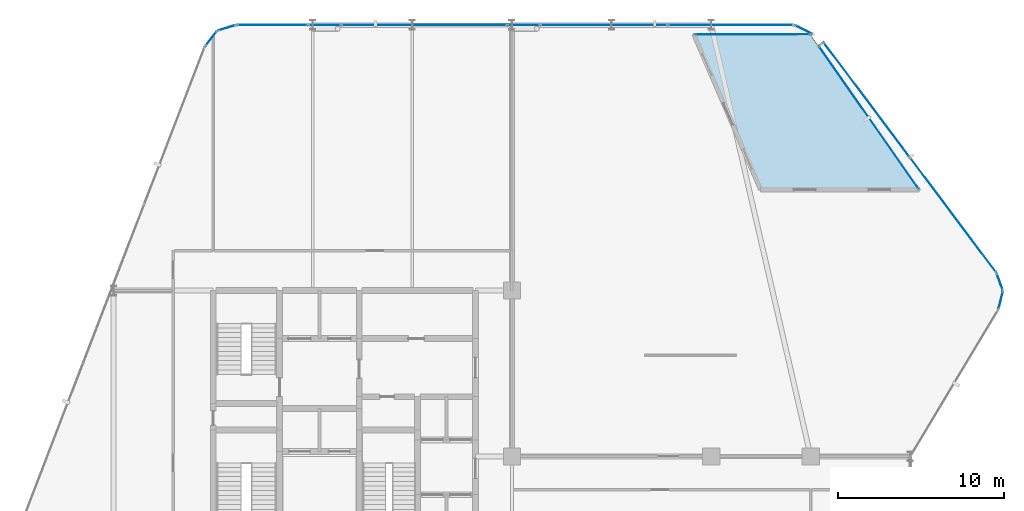
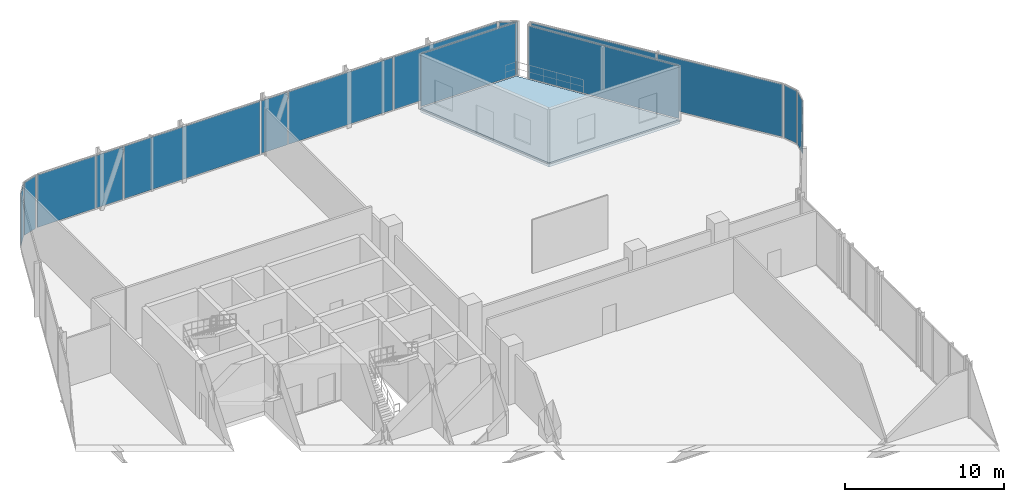
# One storey, part 25 of 31: 15 plates, 1 slab, 13 elements without a shape of their own.
"""IFC4 building model written with IfcOpenShell, lengths in metres."""

from ifc_helpers import new_model, si_unit, direction, frame, origin, origin_2d, place, context, subcontext, project, spatial, polyline, rectangle, outline, extrude, material, layer, layer_set, type_object, element, aggregate, save


model = new_model("IFC4")

# Units and contexts
model_context = context("Model", 3, precision=1e-05, world=origin(), true_north=direction((0.0, 1.0)))
body_context = subcontext(model_context, "Body", "Model", "MODEL_VIEW")
ifc_project = project(units=[si_unit("LENGTHUNIT", "METRE"), si_unit("AREAUNIT", "SQUARE_METRE"), si_unit("VOLUMEUNIT", "CUBIC_METRE"), si_unit("PLANEANGLEUNIT", "RADIAN"), si_unit("MASSUNIT", "GRAM", prefix="KILO")], contexts=[model_context])

# Site, building, storey
site_placement = place(None, origin())
site = spatial("IfcSite", under=ifc_project, at=site_placement, CompositionType="ELEMENT")
building_placement = place(site_placement, origin())
building = spatial("IfcBuilding", under=site, at=building_placement, Name="Keshet Zoharim Tower", CompositionType="ELEMENT")
storey_placement = place(building_placement, frame((0.0, 0.0, 125.300048828125)))
storey = spatial("IfcBuildingStorey", under=building, at=storey_placement, Name="L30", CompositionType="ELEMENT", Elevation=125.300048828125)

# Curtain wall, plates
ifc_material_1 = material(Name="Aluminium 6063-T6", Category="aluminium")
ifc_layer_1 = layer(ifc_material_1, 0.14990234375)
ifc_layer_set_1 = layer_set([ifc_layer_1], Name="Aluminium 6063-T6")
curtain_wall_type = type_object("IfcCurtainWallType", Name="CW-SYS-04", PredefinedType="NOTDEFINED", material=ifc_layer_set_1)
curtain_wall_1_placement = place(storey_placement, origin())
curtain_wall_1 = element("IfcCurtainWall", 1, at=curtain_wall_1_placement, inside=storey, type_object=curtain_wall_type, Name="L30 Unitised Curtain Wall 02", PredefinedType="NOTDEFINED")
ifc_material_2 = material(Name="Insulated Low-E Clear Glass", Category="glass")
ifc_layer_2 = layer(ifc_material_2, 0.035888671875)
ifc_layer_set_2 = layer_set([ifc_layer_2], Name="Insulated Low-E Clear Glass")
plate_type_1 = type_object("IfcPlateType", Name="CWP-01", PredefinedType="CURTAIN_PANEL", material=ifc_layer_set_2)
plate_1_placement = place(storey_placement, frame((54.38330078125, 49.388427734375, 0.070068359375), z_axis=(0.0, 0.0, 1.0), x_axis=(0.600018414142, -0.799986189062, 0.0)))
plate_1 = element("IfcPlate", 2, at=plate_1_placement, type_object=plate_type_1, Name="CW-04 panel 1.1", PredefinedType="CURTAIN_PANEL", context=body_context, shape_type="SweptSolid", body=[
    extrude(rectangle(XDim=8.583984375, YDim=0.035888671875, at=origin_2d()), origin(), (0.0, 0.0, 1.0), 4.044921875),
])
plate_2_placement = place(storey_placement, frame((59.57568359375, 42.465576171875, 0.070068359375), z_axis=(0.0, 0.0, 1.0), x_axis=(0.600018414142, -0.799986189062, 0.0)))
plate_2 = element("IfcPlate", 3, at=plate_2_placement, type_object=plate_type_1, Name="CW-04 panel 2.1", PredefinedType="CURTAIN_PANEL", context=body_context, shape_type="SweptSolid", body=[
    extrude(rectangle(XDim=8.583984375, YDim=0.035888671875, at=origin_2d()), origin(), (0.0, 0.0, 1.0), 4.044921875),
])
aggregate(curtain_wall_1, [plate_1, plate_2])

# Curtain wall, plate
curtain_wall_2_placement = place(storey_placement, origin())
curtain_wall_2 = element("IfcCurtainWall", 4, at=curtain_wall_2_placement, inside=storey, type_object=curtain_wall_type, Name="L30 Unitised Curtain Wall 03", PredefinedType="NOTDEFINED")
plate_3_placement = place(storey_placement, frame((62.3916015625, 38.427490234375, 0.070068359375), z_axis=(0.0, 0.0, 1.0), x_axis=(0.340297354046, -0.940317877544, 0.0)))
plate_3 = element("IfcPlate", 5, at=plate_3_placement, type_object=plate_type_1, Name="CW-04 panel 1.1", PredefinedType="CURTAIN_PANEL", context=body_context, shape_type="SweptSolid", body=[
    extrude(rectangle(XDim=1.026611328125, YDim=0.035888671875, at=origin_2d()), origin(), (0.0, 0.0, 1.0), 4.044921875),
])
aggregate(curtain_wall_2, [plate_3])

curtain_wall_3_placement = place(storey_placement, origin())
curtain_wall_3 = element("IfcCurtainWall", 6, at=curtain_wall_3_placement, inside=storey, type_object=curtain_wall_type, Name="L30 Unitised Curtain Wall 04", PredefinedType="NOTDEFINED")
plate_4_placement = place(storey_placement, frame((62.448974609375, 37.31298828125, 0.070068359375), z_axis=(0.0, 0.0, 1.0), x_axis=(-0.241728770141, -0.970343857447, 0.0)))
plate_4 = element("IfcPlate", 7, at=plate_4_placement, type_object=plate_type_1, Name="CW-04 panel 1.1", PredefinedType="CURTAIN_PANEL", context=body_context, shape_type="SweptSolid", body=[
    extrude(rectangle(XDim=1.026611328125, YDim=0.035888671875, at=origin_2d()), origin(), (0.0, 0.0, 1.0), 4.044921875),
])
aggregate(curtain_wall_3, [plate_4])

curtain_wall_4_placement = place(storey_placement, origin())
curtain_wall_4 = element("IfcCurtainWall", 8, at=curtain_wall_4_placement, inside=storey, type_object=curtain_wall_type, Name="L30 Unitised Curtain Wall 17", PredefinedType="NOTDEFINED")
plate_5_placement = place(storey_placement, frame((14.8740234375, 53.08349609375, 0.070068359375), z_axis=(0.0, 0.0, 1.0), x_axis=(0.619124525989, 0.785292825205, 0.0)))
plate_5 = element("IfcPlate", 9, at=plate_5_placement, type_object=plate_type_1, Name="CW-04 panel 1.1", PredefinedType="CURTAIN_PANEL", context=body_context, shape_type="SweptSolid", body=[
    extrude(rectangle(XDim=1.045654296875, YDim=0.035888671875, at=origin_2d()), origin(), (0.0, 0.0, 1.0), 4.044921875),
])
aggregate(curtain_wall_4, [plate_5])

curtain_wall_5_placement = place(storey_placement, origin())
curtain_wall_5 = element("IfcCurtainWall", 10, at=curtain_wall_5_placement, inside=storey, type_object=curtain_wall_type, Name="L30 Unitised Curtain Wall 18", PredefinedType="NOTDEFINED")
plate_6_placement = place(storey_placement, frame((15.8076171875, 53.724609375, 0.070068359375), z_axis=(0.0, 0.0, 1.0), x_axis=(0.955212151288, 0.295921857984, 0.0)))
plate_6 = element("IfcPlate", 11, at=plate_6_placement, type_object=plate_type_1, Name="CW-04 panel 1.1", PredefinedType="CURTAIN_PANEL", context=body_context, shape_type="SweptSolid", body=[
    extrude(rectangle(XDim=1.046142578125, YDim=0.035888671875, at=origin_2d()), origin(), (0.0, 0.0, 1.0), 4.044921875),
])
aggregate(curtain_wall_5, [plate_6])

curtain_wall_6_placement = place(storey_placement, origin())
curtain_wall_6 = element("IfcCurtainWall", 12, at=curtain_wall_6_placement, inside=storey, type_object=curtain_wall_type, Name="L30 Unitised Curtain Wall 19", PredefinedType="NOTDEFINED")
plate_7_placement = place(storey_placement, frame((18.560791015625, 53.89990234375, 0.070068359375), z_axis=(0.0, 0.0, 1.0), x_axis=(1.0, 0.0, 0.0)))
plate_7 = element("IfcPlate", 13, at=plate_7_placement, type_object=plate_type_1, Name="CW-04 panel 1.1", PredefinedType="CURTAIN_PANEL", context=body_context, shape_type="SweptSolid", body=[
    extrude(rectangle(XDim=4.2333984375, YDim=0.035888671875, at=origin_2d()), origin(), (0.0, 0.0, 1.0), 4.044921875),
])
aggregate(curtain_wall_6, [plate_7])

curtain_wall_7_placement = place(storey_placement, origin())
curtain_wall_7 = element("IfcCurtainWall", 14, at=curtain_wall_7_placement, inside=storey, type_object=curtain_wall_type, Name="L30 Unitised Curtain Wall 19 Part 3", PredefinedType="NOTDEFINED")
plate_8_placement = place(storey_placement, frame((27.715087890625, 53.89990234375, 0.070068359375), z_axis=(0.0, 0.0, 1.0), x_axis=(1.0, 0.0, 0.0)))
plate_8 = element("IfcPlate", 15, at=plate_8_placement, type_object=plate_type_1, Name="CW-04 panel 1.1", PredefinedType="CURTAIN_PANEL", context=body_context, shape_type="SweptSolid", body=[
    extrude(rectangle(XDim=9.925048828125, YDim=0.035888671875, at=origin_2d()), origin(), (0.0, 0.0, 1.0), 4.044921875),
])
aggregate(curtain_wall_7, [plate_8])

# Curtain wall, plates
curtain_wall_8_placement = place(storey_placement, origin())
curtain_wall_8 = element("IfcCurtainWall", 16, at=curtain_wall_8_placement, inside=storey, type_object=curtain_wall_type, Name="L30 Unitised Curtain Wall 19 Part 5", PredefinedType="NOTDEFINED")
plate_9_placement = place(storey_placement, frame((38.546875, 53.89990234375, 0.070068359375), z_axis=(0.0, 0.0, 1.0), x_axis=(1.0, 0.0, 0.0)))
plate_9 = element("IfcPlate", 17, at=plate_9_placement, type_object=plate_type_1, Name="CW-04 panel 1.1", PredefinedType="CURTAIN_PANEL", context=body_context, shape_type="SweptSolid", body=[
    extrude(rectangle(XDim=7.5888671875, YDim=0.035888671875, at=origin_2d()), origin(), (0.0, 0.0, 1.0), 4.044921875),
])
plate_10_placement = place(storey_placement, frame((46.170654296875, 53.89990234375, 0.070068359375), z_axis=(0.0, 0.0, 1.0), x_axis=(1.0, 0.0, 0.0)))
plate_10 = element("IfcPlate", 18, at=plate_10_placement, type_object=plate_type_1, Name="CW-04 panel 2.1", PredefinedType="CURTAIN_PANEL", context=body_context, shape_type="SweptSolid", body=[
    extrude(rectangle(XDim=7.518798828125, YDim=0.035888671875, at=origin_2d()), origin(), (0.0, 0.0, 1.0), 4.044921875),
])
aggregate(curtain_wall_8, [plate_9, plate_10])

# Curtain wall, plate
curtain_wall_9_placement = place(storey_placement, origin())
curtain_wall_9 = element("IfcCurtainWall", 19, at=curtain_wall_9_placement, inside=storey, type_object=curtain_wall_type, Name="L30 Unitised Curtain Wall 20", PredefinedType="NOTDEFINED")
plate_11_placement = place(storey_placement, frame((50.580078125, 53.610107421875, 0.070068359375), z_axis=(0.0, 0.0, 1.0), x_axis=(0.894427191001, -0.447213595499, 0.0)))
plate_11 = element("IfcPlate", 20, at=plate_11_placement, type_object=plate_type_1, Name="CW-04 panel 1.1", PredefinedType="CURTAIN_PANEL", context=body_context, shape_type="SweptSolid", body=[
    extrude(rectangle(XDim=1.156982421875, YDim=0.035888671875, at=origin_2d()), origin(), (0.0, 0.0, 1.0), 4.044921875),
])
aggregate(curtain_wall_9, [plate_11])

curtain_wall_10_placement = place(storey_placement, origin())
curtain_wall_10 = element("IfcCurtainWall", 21, at=curtain_wall_10_placement, inside=storey, type_object=curtain_wall_type, Name="L30 Unitised Curtain Wall 21", PredefinedType="NOTDEFINED")
plate_12_placement = place(storey_placement, frame((47.489990234375, 53.320068359375, 0.070068359375), z_axis=(0.0, 0.0, 1.0), x_axis=(-1.0, 0.0, 0.0)))
plate_12 = element("IfcPlate", 22, at=plate_12_placement, type_object=plate_type_1, Name="CW-04 panel 1.1", PredefinedType="CURTAIN_PANEL", context=body_context, shape_type="SweptSolid", body=[
    extrude(rectangle(XDim=6.89990234375, YDim=0.035888671875, at=origin_2d()), origin(), (0.0, 0.0, 1.0), 4.044921875),
])
aggregate(curtain_wall_10, [plate_12])

curtain_wall_11_placement = place(storey_placement, origin())
curtain_wall_11 = element("IfcCurtainWall", 23, at=curtain_wall_11_placement, inside=storey, type_object=curtain_wall_type, Name="L30 Unitised Curtain Wall 22", PredefinedType="NOTDEFINED")
plate_13_placement = place(storey_placement, frame((54.50390625, 48.321533203125, 0.070068359375), z_axis=(0.0, 0.0, 1.0), x_axis=(-0.57282227337, 0.81967959785, 0.0)))
plate_13 = element("IfcPlate", 24, at=plate_13_placement, type_object=plate_type_1, Name="CW-04 panel 1.1", PredefinedType="CURTAIN_PANEL", context=body_context, shape_type="SweptSolid", body=[
    extrude(rectangle(XDim=10.453125, YDim=0.035888671875, at=origin_2d()), origin(), (0.0, 0.0, 1.0), 4.044921875),
])
aggregate(curtain_wall_11, [plate_13])

curtain_wall_12_placement = place(storey_placement, origin())
curtain_wall_12 = element("IfcCurtainWall", 25, at=curtain_wall_12_placement, inside=storey, type_object=curtain_wall_type, Name="L30 Unitised Curtain Wall 19 Part 2", PredefinedType="NOTDEFINED")
ifc_material_3 = material(Name="Insulated Aluminium Spandrel Panel", Category="aluminium")
ifc_layer_3 = layer(ifc_material_3, 0.035888671875)
ifc_layer_set_3 = layer_set([ifc_layer_3], Name="Insulated Aluminium Spandrel Panel")
plate_type_2 = type_object("IfcPlateType", Name="CWP-04", PredefinedType="CURTAIN_PANEL", material=ifc_layer_set_3)
plate_14_placement = place(storey_placement, frame((21.715087890625, 53.89990234375, 0.070068359375), z_axis=(0.0, 0.0, 1.0), x_axis=(1.0, 0.0, 0.0)))
plate_14 = element("IfcPlate", 26, at=plate_14_placement, type_object=plate_type_2, Name="CW-04 spandrel panel 1.1", PredefinedType="CURTAIN_PANEL", context=body_context, shape_type="SweptSolid", body=[
    extrude(rectangle(XDim=1.93505859375, YDim=0.035888671875, at=origin_2d()), origin(), (0.0, 0.0, 1.0), 4.044921875),
])
aggregate(curtain_wall_12, [plate_14])

curtain_wall_13_placement = place(storey_placement, origin())
curtain_wall_13 = element("IfcCurtainWall", 27, at=curtain_wall_13_placement, inside=storey, type_object=curtain_wall_type, Name="L30 Unitised Curtain Wall 19 Part 4", PredefinedType="NOTDEFINED")
plate_15_placement = place(storey_placement, frame((33.715087890625, 53.89990234375, 0.070068359375), z_axis=(0.0, 0.0, 1.0), x_axis=(1.0, 0.0, 0.0)))
plate_15 = element("IfcPlate", 28, at=plate_15_placement, type_object=plate_type_2, Name="CW-04 spandrel panel 1.1", PredefinedType="CURTAIN_PANEL", context=body_context, shape_type="SweptSolid", body=[
    extrude(rectangle(XDim=1.93505859375, YDim=0.035888671875, at=origin_2d()), origin(), (0.0, 0.0, 1.0), 4.044921875),
])
aggregate(curtain_wall_13, [plate_15])

# Slab
ifc_material_4 = material(Name="Concrete C50/60", Category="concrete")
ifc_layer_4 = layer(ifc_material_4, 0.320068359375)
ifc_layer_set_4 = layer_set([ifc_layer_4], Name="Concrete C50/60")
slab_type = type_object("IfcSlabType", Name="SLB-COM-320", PredefinedType="FLOOR", material=ifc_layer_set_4)
slab_placement = place(storey_placement, frame((0.0, 0.0, -0.320068359375)))
element("IfcSlab", 29, at=slab_placement, inside=storey, type_object=slab_type, Name="L30 North-East Sky Community Terrace Slab", PredefinedType="FLOOR", context=body_context, shape_type="SweptSolid", body=[
    extrude(outline(polyline([(44.0, 53.300048828125), (51.0, 53.300048828125), (57.5, 44.0), (48.0, 44.0), (44.0, 53.300048828125)])), origin(), (0.0, 0.0, 1.0), 0.320068359375),
])

save(model, "model.ifc")
